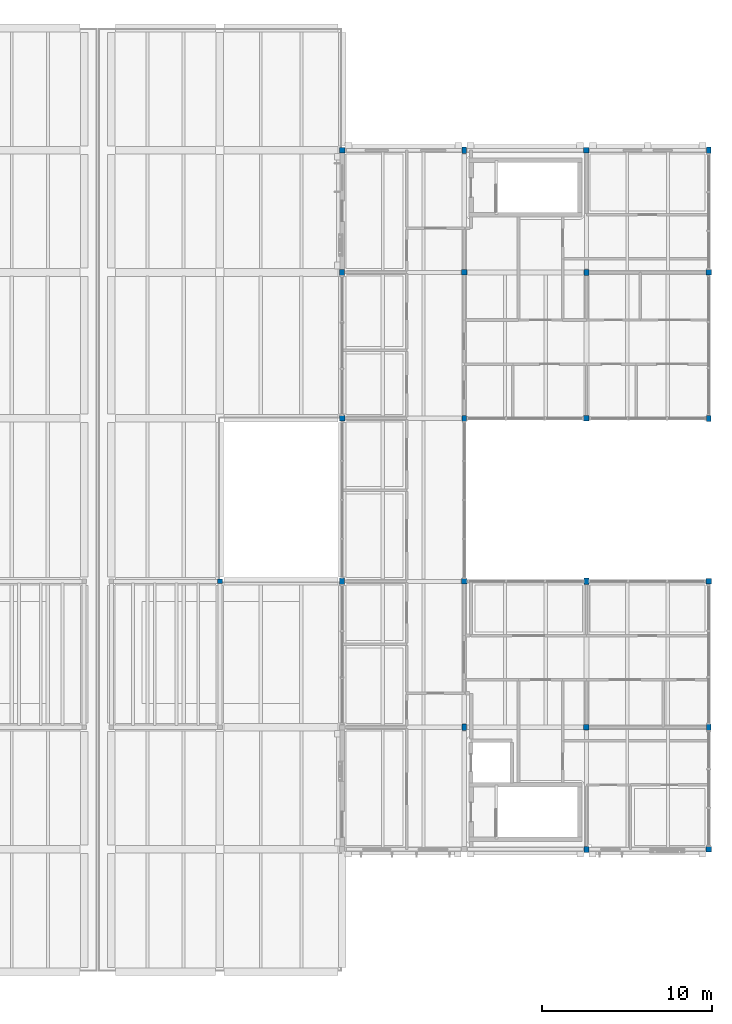
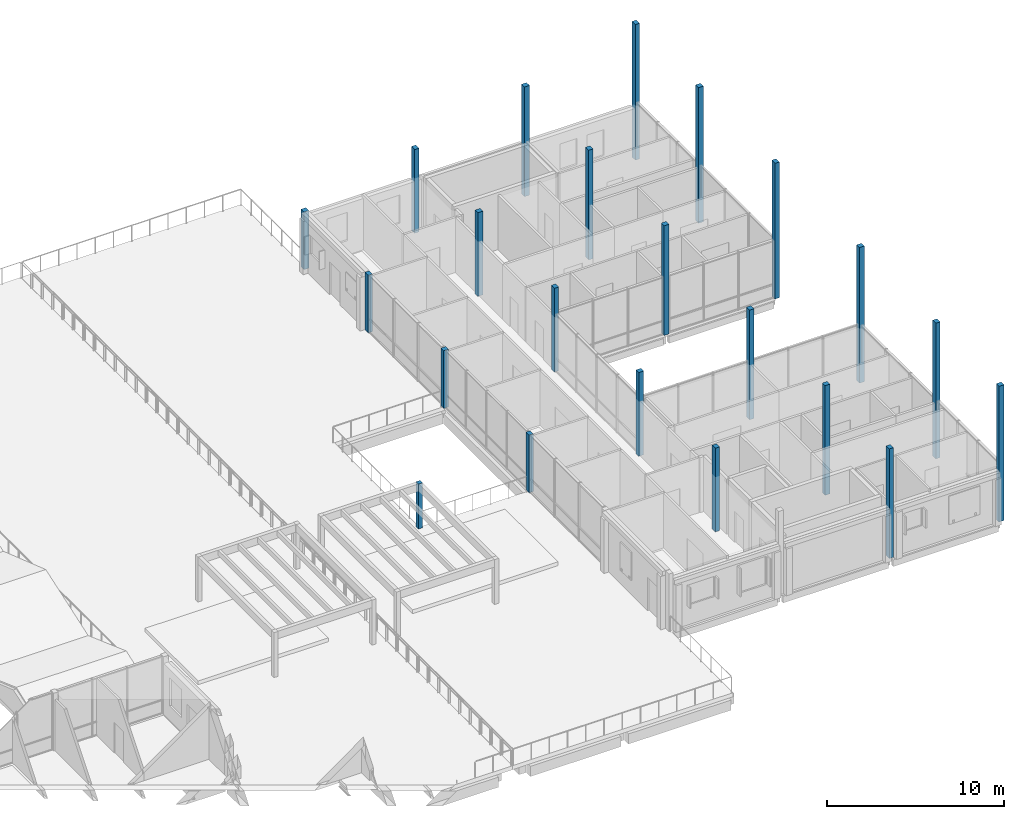
# One storey, part 3 of 115: 22 columns.
"""IFC4 building model written with IfcOpenShell, lengths in metres."""

from ifc_helpers import new_model, si_unit, direction, frame, origin, origin_2d, place, context, subcontext, project, spatial, rectangle, extrude, material, material_profile, profile_set, type_object, element, save


model = new_model("IFC4")

# Units and contexts
model_context = context("Model", 3, precision=1e-05, world=origin(), true_north=direction((0.0, 1.0)))
body_context = subcontext(model_context, "Body", "Model", "MODEL_VIEW")
ifc_project = project(units=[si_unit("LENGTHUNIT", "METRE"), si_unit("AREAUNIT", "SQUARE_METRE"), si_unit("VOLUMEUNIT", "CUBIC_METRE"), si_unit("PLANEANGLEUNIT", "RADIAN"), si_unit("MASSUNIT", "GRAM", prefix="KILO")], contexts=[model_context])

# Site, building, storey
site_placement = place(None, origin())
site = spatial("IfcSite", under=ifc_project, at=site_placement, CompositionType="ELEMENT")
building_placement = place(site_placement, origin())
building = spatial("IfcBuilding", under=site, at=building_placement, Name="Hawrajan Terrace Health Centre", CompositionType="ELEMENT")
storey_placement = place(building_placement, frame((0.0, 0.0, 9.0)))
storey = spatial("IfcBuildingStorey", under=building, at=storey_placement, Name="L02", CompositionType="ELEMENT", Elevation=9.0)

# Columns
ifc_material = material(Name="Glulam GL32h", Category="wood")
ifc_material_profile_1 = material_profile(ifc_material, rectangle(XDim=0.280029296875, YDim=0.280029296875, at=origin_2d()), Name="GL 280x280")
ifc_profile_set_1 = profile_set([ifc_material_profile_1], Name="Glulam GL32h")
column_type_1 = type_object("IfcColumnType", Name="GlulamCol_280x280", PredefinedType="COLUMN", material=ifc_profile_set_1)
column_placement = place(storey_placement, frame((136.60009765625, 27.199951171875, 0.0), z_axis=(0.0, 0.0, 1.0), x_axis=(1.0, 0.0, 0.0)))
element("IfcColumn", 1, at=column_placement, inside=storey, type_object=column_type_1, Name="Therapy garden pergola column EAST-3", PredefinedType="COLUMN", context=body_context, shape_type="SweptSolid", body=[
    extrude(rectangle(XDim=0.280029296875, YDim=0.280029296875, at=origin_2d()), origin(), (0.0, 0.0, 1.0), 3.10009765625),
])
ifc_material_profile_2 = material_profile(ifc_material, rectangle(XDim=0.280029296875, YDim=0.360107421875, at=origin_2d()), Name="GL 280x360")
ifc_profile_set_2 = profile_set([ifc_material_profile_2], Name="Glulam GL32h")
column_type_2 = type_object("IfcColumnType", Name="GlulamCol_280x360", PredefinedType="COLUMN", material=ifc_profile_set_2)
for number, where, z_axis, x_axis, name in (
    (2, (143.800048828125, 27.199951171875, 0.0), (0.0, 0.0, 1.0), (1.0, 0.0, 0.0), "Column COL-L02-E-X19-Y4"),
    (3, (143.800048828125, 45.39990234375, 0.0), (0.0, 0.0, 1.0), (1.0, 0.0, 0.0), "Column COL-L02-E-X19-Y6"),
):
    element("IfcColumn", number, at=place(storey_placement, frame(where, z_axis=z_axis, x_axis=x_axis)), inside=storey, type_object=column_type_2, Name=name, PredefinedType="COLUMN", context=body_context, shape_type="SweptSolid", body=[
        extrude(rectangle(XDim=0.280029296875, YDim=0.360107421875, at=origin_2d()), origin(), (0.0, 0.0, 1.0), 3.97998046875),
    ])
for number, where, z_axis, x_axis, name in (
    (4, (151.0, 18.60009765625, 0.0), (0.0, 0.0, 1.0), (1.0, 0.0, 0.0), "Column COL-L02-E-X20-Y3"),
    (5, (151.0, 36.800048828125, 0.0), (0.0, 0.0, 1.0), (1.0, 0.0, 0.0), "Column COL-L02-E-X20-Y5"),
    (6, (151.0, 52.60009765625, 0.0), (0.0, 0.0, 1.0), (1.0, 0.0, 0.0), "Column COL-L02-E-X20-Y7"),
):
    element("IfcColumn", number, at=place(storey_placement, frame(where, z_axis=z_axis, x_axis=x_axis)), inside=storey, type_object=column_type_2, Name=name, PredefinedType="COLUMN", context=body_context, shape_type="SweptSolid", body=[
        extrude(rectangle(XDim=0.280029296875, YDim=0.360107421875, at=origin_2d()), origin(), (0.0, 0.0, 1.0), 5.775146484375),
    ])
for number, where, z_axis, x_axis, name in (
    (7, (158.199951171875, 11.39990234375, 0.0), (0.0, 0.0, 1.0), (1.0, 0.0, 0.0), "Column COL-L02-E-X21-Y2"),
    (8, (158.199951171875, 27.199951171875, 0.0), (0.0, 0.0, 1.0), (1.0, 0.0, 0.0), "Column COL-L02-E-X21-Y4"),
    (9, (158.199951171875, 45.39990234375, 0.0), (0.0, 0.0, 1.0), (1.0, 0.0, 0.0), "Column COL-L02-E-X21-Y6"),
):
    element("IfcColumn", number, at=place(storey_placement, frame(where, z_axis=z_axis, x_axis=x_axis)), inside=storey, type_object=column_type_2, Name=name, PredefinedType="COLUMN", context=body_context, shape_type="SweptSolid", body=[
        extrude(rectangle(XDim=0.280029296875, YDim=0.360107421875, at=origin_2d()), origin(), (0.0, 0.0, 1.0), 7.5703125),
    ])
for number, where, z_axis, x_axis, name in (
    (10, (165.39990234375, 18.60009765625, 0.0), (0.0, 0.0, 1.0), (1.0, 0.0, 0.0), "Column COL-L02-E-X22-Y3"),
    (11, (165.39990234375, 36.800048828125, 0.0), (0.0, 0.0, 1.0), (1.0, 0.0, 0.0), "Column COL-L02-E-X22-Y5"),
    (12, (165.39990234375, 52.60009765625, 0.0), (0.0, 0.0, 1.0), (1.0, 0.0, 0.0), "Column COL-L02-E-X22-Y7"),
):
    element("IfcColumn", number, at=place(storey_placement, frame(where, z_axis=z_axis, x_axis=x_axis)), inside=storey, type_object=column_type_2, Name=name, PredefinedType="COLUMN", context=body_context, shape_type="SweptSolid", body=[
        extrude(rectangle(XDim=0.280029296875, YDim=0.360107421875, at=origin_2d()), origin(), (0.0, 0.0, 1.0), 9.365478515625),
    ])
ifc_material_profile_3 = material_profile(ifc_material, rectangle(XDim=0.320068359375, YDim=0.320068359375, at=origin_2d()), Name="GL 320x320")
ifc_profile_set_3 = profile_set([ifc_material_profile_3], Name="Glulam GL32h")
column_type_3 = type_object("IfcColumnType", Name="GlulamCol_320x320", PredefinedType="COLUMN", material=ifc_profile_set_3)
for number, where, z_axis, x_axis, name in (
    (13, (143.800048828125, 36.800048828125, 0.0), (0.0, 0.0, 1.0), (1.0, 0.0, 0.0), "Column COL-L02-E-X19-Y5"),
    (14, (143.800048828125, 52.60009765625, 0.0), (0.0, 0.0, 1.0), (1.0, 0.0, 0.0), "Column COL-L02-E-X19-Y7"),
):
    element("IfcColumn", number, at=place(storey_placement, frame(where, z_axis=z_axis, x_axis=x_axis)), inside=storey, type_object=column_type_3, Name=name, PredefinedType="COLUMN", context=body_context, shape_type="SweptSolid", body=[
        extrude(rectangle(XDim=0.320068359375, YDim=0.320068359375, at=origin_2d()), origin(), (0.0, 0.0, 1.0), 3.97998046875),
    ])
for number, where, z_axis, x_axis, name in (
    (15, (151.0, 27.199951171875, 0.0), (0.0, 0.0, 1.0), (1.0, 0.0, 0.0), "Column COL-L02-E-X20-Y4"),
    (16, (151.0, 45.39990234375, 0.0), (0.0, 0.0, 1.0), (1.0, 0.0, 0.0), "Column COL-L02-E-X20-Y6"),
):
    element("IfcColumn", number, at=place(storey_placement, frame(where, z_axis=z_axis, x_axis=x_axis)), inside=storey, type_object=column_type_3, Name=name, PredefinedType="COLUMN", context=body_context, shape_type="SweptSolid", body=[
        extrude(rectangle(XDim=0.320068359375, YDim=0.320068359375, at=origin_2d()), origin(), (0.0, 0.0, 1.0), 5.775146484375),
    ])
for number, where, z_axis, x_axis, name in (
    (17, (158.199951171875, 18.60009765625, 0.0), (0.0, 0.0, 1.0), (1.0, 0.0, 0.0), "Column COL-L02-E-X21-Y3"),
    (18, (158.199951171875, 36.800048828125, 0.0), (0.0, 0.0, 1.0), (1.0, 0.0, 0.0), "Column COL-L02-E-X21-Y5"),
    (19, (158.199951171875, 52.60009765625, 0.0), (0.0, 0.0, 1.0), (1.0, 0.0, 0.0), "Column COL-L02-E-X21-Y7"),
):
    element("IfcColumn", number, at=place(storey_placement, frame(where, z_axis=z_axis, x_axis=x_axis)), inside=storey, type_object=column_type_3, Name=name, PredefinedType="COLUMN", context=body_context, shape_type="SweptSolid", body=[
        extrude(rectangle(XDim=0.320068359375, YDim=0.320068359375, at=origin_2d()), origin(), (0.0, 0.0, 1.0), 7.5703125),
    ])
for number, where, z_axis, x_axis, name in (
    (20, (165.39990234375, 11.39990234375, 0.0), (0.0, 0.0, 1.0), (1.0, 0.0, 0.0), "Column COL-L02-E-X22-Y2"),
    (21, (165.39990234375, 27.199951171875, 0.0), (0.0, 0.0, 1.0), (1.0, 0.0, 0.0), "Column COL-L02-E-X22-Y4"),
    (22, (165.39990234375, 45.39990234375, 0.0), (0.0, 0.0, 1.0), (1.0, 0.0, 0.0), "Column COL-L02-E-X22-Y6"),
):
    element("IfcColumn", number, at=place(storey_placement, frame(where, z_axis=z_axis, x_axis=x_axis)), inside=storey, type_object=column_type_3, Name=name, PredefinedType="COLUMN", context=body_context, shape_type="SweptSolid", body=[
        extrude(rectangle(XDim=0.320068359375, YDim=0.320068359375, at=origin_2d()), origin(), (0.0, 0.0, 1.0), 9.365478515625),
    ])

save(model, "model.ifc")
